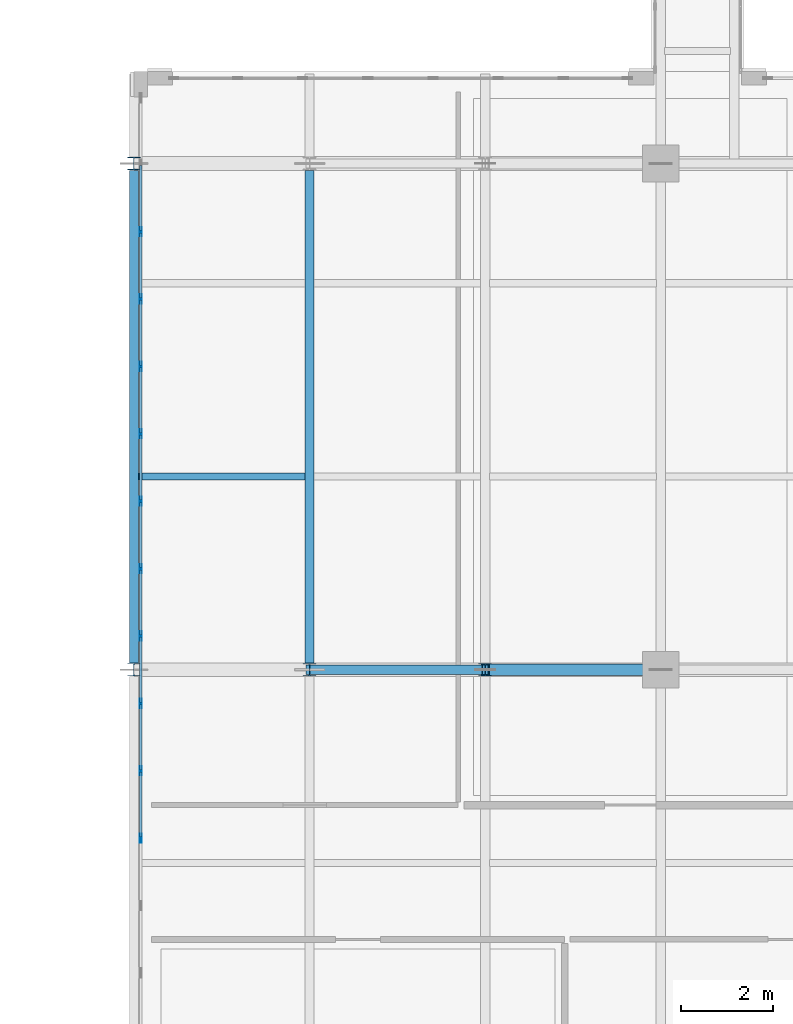
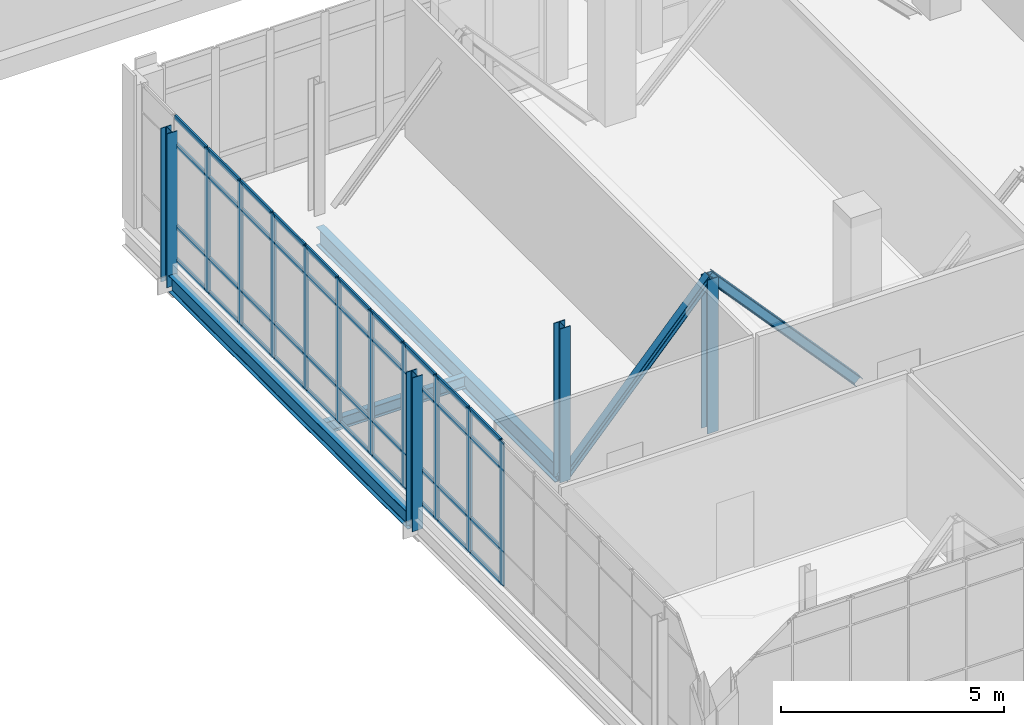
# One storey, part 6 of 165: 56 members, 3 beams, 1 element without a shape of its own.
"""IFC4 building model written with IfcOpenShell, lengths in metres."""

from ifc_helpers import new_model, si_unit, direction, frame, origin, origin_2d, place, context, subcontext, project, spatial, hollow_rectangle, i_section, extrude, material, layer, layer_set, material_profile, profile_set, type_object, element, aggregate, save


model = new_model("IFC4")

# Units and contexts
model_context = context("Model", 3, precision=1e-05, world=origin(), true_north=direction((0.0, 1.0)))
body_context = subcontext(model_context, "Body", "Model", "MODEL_VIEW")
ifc_project = project(units=[si_unit("LENGTHUNIT", "METRE"), si_unit("AREAUNIT", "SQUARE_METRE"), si_unit("VOLUMEUNIT", "CUBIC_METRE"), si_unit("PLANEANGLEUNIT", "RADIAN"), si_unit("MASSUNIT", "GRAM", prefix="KILO")], contexts=[model_context])

# Site, building, storey
site_placement = place(None, origin())
site = spatial("IfcSite", under=ifc_project, at=site_placement, CompositionType="ELEMENT")
building_placement = place(site_placement, origin())
building = spatial("IfcBuilding", under=site, at=building_placement, Name="Qalavern Law Courts", CompositionType="ELEMENT")
storey_placement = place(building_placement, frame((0.0, 0.0, 14.39990234375)))
storey = spatial("IfcBuildingStorey", under=building, at=storey_placement, Name="L03", CompositionType="ELEMENT", Elevation=14.39990234375)

# Curtain wall, members
ifc_material_1 = material(Name="Anodised aluminium and insulated glazing", Category="aluminium")
ifc_layer = layer(ifc_material_1, 0.199951171875)
ifc_layer_set = layer_set([ifc_layer], Name="Anodised aluminium and insulated glazing")
curtain_wall_type = type_object("IfcCurtainWallType", Name="ENV-CW-FOYER", PredefinedType="USERDEFINED", material=ifc_layer_set)
curtain_wall_placement = place(storey_placement, origin())
curtain_wall = element("IfcCurtainWall", 1, at=curtain_wall_placement, inside=storey, type_object=curtain_wall_type, Name="V1 unitised curtain wall L03 west 1", ObjectType="UNITISED CURTAIN WALL", PredefinedType="USERDEFINED")
ifc_material_2 = material(Name="Anodised aluminium", Category="aluminium")
ifc_material_profile_1 = material_profile(ifc_material_2, hollow_rectangle(XDim=0.048095703125, YDim=0.199951171875, WallThickness=0.00439453125, at=origin_2d()), Name="ALU MULLION 48x200")
ifc_profile_set_1 = profile_set([ifc_material_profile_1], Name="Anodised aluminium")
member_type_1 = type_object("IfcMemberType", Name="ENV-CWM-48x200", PredefinedType="MULLION", material=ifc_profile_set_1)
member_1_placement = place(storey_placement, frame((5.49755859375, 30.5205078125, 0.0), z_axis=(0.0, 0.0, 1.0), x_axis=(1.0, 0.0, 0.0)))
member_1 = element("IfcMember", 2, at=member_1_placement, type_object=member_type_1, Name="CW-01 mullion 3", PredefinedType="MULLION", context=body_context, shape_type="SweptSolid", body=[
    extrude(hollow_rectangle(XDim=0.048095703125, YDim=0.199951171875, WallThickness=0.00439453125, at=origin_2d()), origin(), (0.0, 0.0, 1.0), 3.920166015625),
])
member_2_placement = place(storey_placement, frame((5.49755859375, 29.055908203125, 0.0), z_axis=(0.0, 0.0, 1.0), x_axis=(1.0, 0.0, 0.0)))
member_2 = element("IfcMember", 3, at=member_2_placement, type_object=member_type_1, Name="CW-01 mullion 4", PredefinedType="MULLION", context=body_context, shape_type="SweptSolid", body=[
    extrude(hollow_rectangle(XDim=0.048095703125, YDim=0.199951171875, WallThickness=0.00439453125, at=origin_2d()), origin(), (0.0, 0.0, 1.0), 3.920166015625),
])
member_3_placement = place(storey_placement, frame((5.49755859375, 27.591064453125, 0.0), z_axis=(0.0, 0.0, 1.0), x_axis=(1.0, 0.0, 0.0)))
member_3 = element("IfcMember", 4, at=member_3_placement, type_object=member_type_1, Name="CW-01 mullion 5", PredefinedType="MULLION", context=body_context, shape_type="SweptSolid", body=[
    extrude(hollow_rectangle(XDim=0.048095703125, YDim=0.199951171875, WallThickness=0.00439453125, at=origin_2d()), origin(), (0.0, 0.0, 1.0), 3.920166015625),
])
member_4_placement = place(storey_placement, frame((5.49755859375, 26.12646484375, 0.0), z_axis=(0.0, 0.0, 1.0), x_axis=(1.0, 0.0, 0.0)))
member_4 = element("IfcMember", 5, at=member_4_placement, type_object=member_type_1, Name="CW-01 mullion 6", PredefinedType="MULLION", context=body_context, shape_type="SweptSolid", body=[
    extrude(hollow_rectangle(XDim=0.048095703125, YDim=0.199951171875, WallThickness=0.00439453125, at=origin_2d()), origin(), (0.0, 0.0, 1.0), 3.920166015625),
])
member_5_placement = place(storey_placement, frame((5.49755859375, 24.661865234375, 0.0), z_axis=(0.0, 0.0, 1.0), x_axis=(1.0, 0.0, 0.0)))
member_5 = element("IfcMember", 6, at=member_5_placement, type_object=member_type_1, Name="CW-01 mullion 7", PredefinedType="MULLION", context=body_context, shape_type="SweptSolid", body=[
    extrude(hollow_rectangle(XDim=0.048095703125, YDim=0.199951171875, WallThickness=0.00439453125, at=origin_2d()), origin(), (0.0, 0.0, 1.0), 3.920166015625),
])
member_6_placement = place(storey_placement, frame((5.49755859375, 23.197021484375, 0.0), z_axis=(0.0, 0.0, 1.0), x_axis=(1.0, 0.0, 0.0)))
member_6 = element("IfcMember", 7, at=member_6_placement, type_object=member_type_1, Name="CW-01 mullion 8", PredefinedType="MULLION", context=body_context, shape_type="SweptSolid", body=[
    extrude(hollow_rectangle(XDim=0.048095703125, YDim=0.199951171875, WallThickness=0.00439453125, at=origin_2d()), origin(), (0.0, 0.0, 1.0), 3.920166015625),
])
member_7_placement = place(storey_placement, frame((5.49755859375, 21.732421875, 0.0), z_axis=(0.0, 0.0, 1.0), x_axis=(1.0, 0.0, 0.0)))
member_7 = element("IfcMember", 8, at=member_7_placement, type_object=member_type_1, Name="CW-01 mullion 9", PredefinedType="MULLION", context=body_context, shape_type="SweptSolid", body=[
    extrude(hollow_rectangle(XDim=0.048095703125, YDim=0.199951171875, WallThickness=0.00439453125, at=origin_2d()), origin(), (0.0, 0.0, 1.0), 3.920166015625),
])
member_8_placement = place(storey_placement, frame((5.49755859375, 20.267578125, 0.0), z_axis=(0.0, 0.0, 1.0), x_axis=(1.0, 0.0, 0.0)))
member_8 = element("IfcMember", 9, at=member_8_placement, type_object=member_type_1, Name="CW-01 mullion 10", PredefinedType="MULLION", context=body_context, shape_type="SweptSolid", body=[
    extrude(hollow_rectangle(XDim=0.048095703125, YDim=0.199951171875, WallThickness=0.00439453125, at=origin_2d()), origin(), (0.0, 0.0, 1.0), 3.920166015625),
])
member_9_placement = place(storey_placement, frame((5.49755859375, 18.802978515625, 0.0), z_axis=(0.0, 0.0, 1.0), x_axis=(1.0, 0.0, 0.0)))
member_9 = element("IfcMember", 10, at=member_9_placement, type_object=member_type_1, Name="CW-01 mullion 11", PredefinedType="MULLION", context=body_context, shape_type="SweptSolid", body=[
    extrude(hollow_rectangle(XDim=0.048095703125, YDim=0.199951171875, WallThickness=0.00439453125, at=origin_2d()), origin(), (0.0, 0.0, 1.0), 3.920166015625),
])
member_10_placement = place(storey_placement, frame((5.49755859375, 17.338134765625, 0.0), z_axis=(0.0, 0.0, 1.0), x_axis=(1.0, 0.0, 0.0)))
member_10 = element("IfcMember", 11, at=member_10_placement, type_object=member_type_1, Name="CW-01 mullion 12", PredefinedType="MULLION", context=body_context, shape_type="SweptSolid", body=[
    extrude(hollow_rectangle(XDim=0.048095703125, YDim=0.199951171875, WallThickness=0.00439453125, at=origin_2d()), origin(), (0.0, 0.0, 1.0), 3.920166015625),
])
ifc_material_profile_2 = material_profile(ifc_material_2, hollow_rectangle(XDim=0.048095703125, YDim=0.139892578125, WallThickness=0.00390625, at=origin_2d()), Name="ALU TRANSOM 48x140")
ifc_profile_set_2 = profile_set([ifc_material_profile_2], Name="Anodised aluminium")
member_type_2 = type_object("IfcMemberType", Name="ENV-CWT-48x140", PredefinedType="USERDEFINED", material=ifc_profile_set_2)
member_11_placement = place(storey_placement, frame((5.49755859375, 31.961181640625, 0.024169921875), z_axis=(0.0, -1.0, 0.0), x_axis=(1.0, 0.0, 0.0)))
member_11 = element("IfcMember", 12, at=member_11_placement, type_object=member_type_2, Name="CW-01 transom 2.1", ObjectType="TRANSOM", PredefinedType="USERDEFINED", context=body_context, shape_type="SweptSolid", body=[
    extrude(hollow_rectangle(XDim=0.048095703125, YDim=0.139892578125, WallThickness=0.00390625, at=origin_2d()), origin(), (0.0, 0.0, 1.0), 1.41650390625),
])
member_12_placement = place(storey_placement, frame((5.49755859375, 31.961181640625, 0.9501953125), z_axis=(0.0, -1.0, 0.0), x_axis=(1.0, 0.0, 0.0)))
member_12 = element("IfcMember", 13, at=member_12_placement, type_object=member_type_2, Name="CW-01 transom 2.2", ObjectType="TRANSOM", PredefinedType="USERDEFINED", context=body_context, shape_type="SweptSolid", body=[
    extrude(hollow_rectangle(XDim=0.048095703125, YDim=0.139892578125, WallThickness=0.00390625, at=origin_2d()), origin(), (0.0, 0.0, 1.0), 1.41650390625),
])
member_13_placement = place(storey_placement, frame((5.49755859375, 31.961181640625, 3.170166015625), z_axis=(0.0, -1.0, 0.0), x_axis=(1.0, 0.0, 0.0)))
member_13 = element("IfcMember", 14, at=member_13_placement, type_object=member_type_2, Name="CW-01 transom 2.3", ObjectType="TRANSOM", PredefinedType="USERDEFINED", context=body_context, shape_type="SweptSolid", body=[
    extrude(hollow_rectangle(XDim=0.048095703125, YDim=0.139892578125, WallThickness=0.00390625, at=origin_2d()), origin(), (0.0, 0.0, 1.0), 1.41650390625),
])
member_14_placement = place(storey_placement, frame((5.49755859375, 31.961181640625, 3.89599609375), z_axis=(0.0, -1.0, 0.0), x_axis=(1.0, 0.0, 0.0)))
member_14 = element("IfcMember", 15, at=member_14_placement, type_object=member_type_2, Name="CW-01 transom 2.4", ObjectType="TRANSOM", PredefinedType="USERDEFINED", context=body_context, shape_type="SweptSolid", body=[
    extrude(hollow_rectangle(XDim=0.048095703125, YDim=0.139892578125, WallThickness=0.00390625, at=origin_2d()), origin(), (0.0, 0.0, 1.0), 1.41650390625),
])
member_15_placement = place(storey_placement, frame((5.49755859375, 30.49658203125, 0.024169921875), z_axis=(0.0, -1.0, 0.0), x_axis=(1.0, 0.0, 0.0)))
member_15 = element("IfcMember", 16, at=member_15_placement, type_object=member_type_2, Name="CW-01 transom 3.1", ObjectType="TRANSOM", PredefinedType="USERDEFINED", context=body_context, shape_type="SweptSolid", body=[
    extrude(hollow_rectangle(XDim=0.048095703125, YDim=0.139892578125, WallThickness=0.00390625, at=origin_2d()), origin(), (0.0, 0.0, 1.0), 1.416748046875),
])
member_16_placement = place(storey_placement, frame((5.49755859375, 30.49658203125, 0.9501953125), z_axis=(0.0, -1.0, 0.0), x_axis=(1.0, 0.0, 0.0)))
member_16 = element("IfcMember", 17, at=member_16_placement, type_object=member_type_2, Name="CW-01 transom 3.2", ObjectType="TRANSOM", PredefinedType="USERDEFINED", context=body_context, shape_type="SweptSolid", body=[
    extrude(hollow_rectangle(XDim=0.048095703125, YDim=0.139892578125, WallThickness=0.00390625, at=origin_2d()), origin(), (0.0, 0.0, 1.0), 1.416748046875),
])
member_17_placement = place(storey_placement, frame((5.49755859375, 30.49658203125, 3.170166015625), z_axis=(0.0, -1.0, 0.0), x_axis=(1.0, 0.0, 0.0)))
member_17 = element("IfcMember", 18, at=member_17_placement, type_object=member_type_2, Name="CW-01 transom 3.3", ObjectType="TRANSOM", PredefinedType="USERDEFINED", context=body_context, shape_type="SweptSolid", body=[
    extrude(hollow_rectangle(XDim=0.048095703125, YDim=0.139892578125, WallThickness=0.00390625, at=origin_2d()), origin(), (0.0, 0.0, 1.0), 1.416748046875),
])
member_18_placement = place(storey_placement, frame((5.49755859375, 30.49658203125, 3.89599609375), z_axis=(0.0, -1.0, 0.0), x_axis=(1.0, 0.0, 0.0)))
member_18 = element("IfcMember", 19, at=member_18_placement, type_object=member_type_2, Name="CW-01 transom 3.4", ObjectType="TRANSOM", PredefinedType="USERDEFINED", context=body_context, shape_type="SweptSolid", body=[
    extrude(hollow_rectangle(XDim=0.048095703125, YDim=0.139892578125, WallThickness=0.00390625, at=origin_2d()), origin(), (0.0, 0.0, 1.0), 1.416748046875),
])
member_19_placement = place(storey_placement, frame((5.49755859375, 29.031982421875, 0.024169921875), z_axis=(0.0, -1.0, 0.0), x_axis=(1.0, 0.0, 0.0)))
member_19 = element("IfcMember", 20, at=member_19_placement, type_object=member_type_2, Name="CW-01 transom 4.1", ObjectType="TRANSOM", PredefinedType="USERDEFINED", context=body_context, shape_type="SweptSolid", body=[
    extrude(hollow_rectangle(XDim=0.048095703125, YDim=0.139892578125, WallThickness=0.00390625, at=origin_2d()), origin(), (0.0, 0.0, 1.0), 1.416748046875),
])
member_20_placement = place(storey_placement, frame((5.49755859375, 29.031982421875, 0.9501953125), z_axis=(0.0, -1.0, 0.0), x_axis=(1.0, 0.0, 0.0)))
member_20 = element("IfcMember", 21, at=member_20_placement, type_object=member_type_2, Name="CW-01 transom 4.2", ObjectType="TRANSOM", PredefinedType="USERDEFINED", context=body_context, shape_type="SweptSolid", body=[
    extrude(hollow_rectangle(XDim=0.048095703125, YDim=0.139892578125, WallThickness=0.00390625, at=origin_2d()), origin(), (0.0, 0.0, 1.0), 1.416748046875),
])
member_21_placement = place(storey_placement, frame((5.49755859375, 29.031982421875, 3.170166015625), z_axis=(0.0, -1.0, 0.0), x_axis=(1.0, 0.0, 0.0)))
member_21 = element("IfcMember", 22, at=member_21_placement, type_object=member_type_2, Name="CW-01 transom 4.3", ObjectType="TRANSOM", PredefinedType="USERDEFINED", context=body_context, shape_type="SweptSolid", body=[
    extrude(hollow_rectangle(XDim=0.048095703125, YDim=0.139892578125, WallThickness=0.00390625, at=origin_2d()), origin(), (0.0, 0.0, 1.0), 1.416748046875),
])
member_22_placement = place(storey_placement, frame((5.49755859375, 29.031982421875, 3.89599609375), z_axis=(0.0, -1.0, 0.0), x_axis=(1.0, 0.0, 0.0)))
member_22 = element("IfcMember", 23, at=member_22_placement, type_object=member_type_2, Name="CW-01 transom 4.4", ObjectType="TRANSOM", PredefinedType="USERDEFINED", context=body_context, shape_type="SweptSolid", body=[
    extrude(hollow_rectangle(XDim=0.048095703125, YDim=0.139892578125, WallThickness=0.00390625, at=origin_2d()), origin(), (0.0, 0.0, 1.0), 1.416748046875),
])
member_23_placement = place(storey_placement, frame((5.49755859375, 27.567138671875, 0.024169921875), z_axis=(0.0, -1.0, 0.0), x_axis=(1.0, 0.0, 0.0)))
member_23 = element("IfcMember", 24, at=member_23_placement, type_object=member_type_2, Name="CW-01 transom 5.1", ObjectType="TRANSOM", PredefinedType="USERDEFINED", context=body_context, shape_type="SweptSolid", body=[
    extrude(hollow_rectangle(XDim=0.048095703125, YDim=0.139892578125, WallThickness=0.00390625, at=origin_2d()), origin(), (0.0, 0.0, 1.0), 1.416748046875),
])
member_24_placement = place(storey_placement, frame((5.49755859375, 27.567138671875, 0.9501953125), z_axis=(0.0, -1.0, 0.0), x_axis=(1.0, 0.0, 0.0)))
member_24 = element("IfcMember", 25, at=member_24_placement, type_object=member_type_2, Name="CW-01 transom 5.2", ObjectType="TRANSOM", PredefinedType="USERDEFINED", context=body_context, shape_type="SweptSolid", body=[
    extrude(hollow_rectangle(XDim=0.048095703125, YDim=0.139892578125, WallThickness=0.00390625, at=origin_2d()), origin(), (0.0, 0.0, 1.0), 1.416748046875),
])
member_25_placement = place(storey_placement, frame((5.49755859375, 27.567138671875, 3.170166015625), z_axis=(0.0, -1.0, 0.0), x_axis=(1.0, 0.0, 0.0)))
member_25 = element("IfcMember", 26, at=member_25_placement, type_object=member_type_2, Name="CW-01 transom 5.3", ObjectType="TRANSOM", PredefinedType="USERDEFINED", context=body_context, shape_type="SweptSolid", body=[
    extrude(hollow_rectangle(XDim=0.048095703125, YDim=0.139892578125, WallThickness=0.00390625, at=origin_2d()), origin(), (0.0, 0.0, 1.0), 1.416748046875),
])
member_26_placement = place(storey_placement, frame((5.49755859375, 27.567138671875, 3.89599609375), z_axis=(0.0, -1.0, 0.0), x_axis=(1.0, 0.0, 0.0)))
member_26 = element("IfcMember", 27, at=member_26_placement, type_object=member_type_2, Name="CW-01 transom 5.4", ObjectType="TRANSOM", PredefinedType="USERDEFINED", context=body_context, shape_type="SweptSolid", body=[
    extrude(hollow_rectangle(XDim=0.048095703125, YDim=0.139892578125, WallThickness=0.00390625, at=origin_2d()), origin(), (0.0, 0.0, 1.0), 1.416748046875),
])
member_27_placement = place(storey_placement, frame((5.49755859375, 26.1025390625, 0.024169921875), z_axis=(0.0, -1.0, 0.0), x_axis=(1.0, 0.0, 0.0)))
member_27 = element("IfcMember", 28, at=member_27_placement, type_object=member_type_2, Name="CW-01 transom 6.1", ObjectType="TRANSOM", PredefinedType="USERDEFINED", context=body_context, shape_type="SweptSolid", body=[
    extrude(hollow_rectangle(XDim=0.048095703125, YDim=0.139892578125, WallThickness=0.00390625, at=origin_2d()), origin(), (0.0, 0.0, 1.0), 1.416748046875),
])
member_28_placement = place(storey_placement, frame((5.49755859375, 26.1025390625, 0.9501953125), z_axis=(0.0, -1.0, 0.0), x_axis=(1.0, 0.0, 0.0)))
member_28 = element("IfcMember", 29, at=member_28_placement, type_object=member_type_2, Name="CW-01 transom 6.2", ObjectType="TRANSOM", PredefinedType="USERDEFINED", context=body_context, shape_type="SweptSolid", body=[
    extrude(hollow_rectangle(XDim=0.048095703125, YDim=0.139892578125, WallThickness=0.00390625, at=origin_2d()), origin(), (0.0, 0.0, 1.0), 1.416748046875),
])
member_29_placement = place(storey_placement, frame((5.49755859375, 26.1025390625, 3.170166015625), z_axis=(0.0, -1.0, 0.0), x_axis=(1.0, 0.0, 0.0)))
member_29 = element("IfcMember", 30, at=member_29_placement, type_object=member_type_2, Name="CW-01 transom 6.3", ObjectType="TRANSOM", PredefinedType="USERDEFINED", context=body_context, shape_type="SweptSolid", body=[
    extrude(hollow_rectangle(XDim=0.048095703125, YDim=0.139892578125, WallThickness=0.00390625, at=origin_2d()), origin(), (0.0, 0.0, 1.0), 1.416748046875),
])
member_30_placement = place(storey_placement, frame((5.49755859375, 26.1025390625, 3.89599609375), z_axis=(0.0, -1.0, 0.0), x_axis=(1.0, 0.0, 0.0)))
member_30 = element("IfcMember", 31, at=member_30_placement, type_object=member_type_2, Name="CW-01 transom 6.4", ObjectType="TRANSOM", PredefinedType="USERDEFINED", context=body_context, shape_type="SweptSolid", body=[
    extrude(hollow_rectangle(XDim=0.048095703125, YDim=0.139892578125, WallThickness=0.00390625, at=origin_2d()), origin(), (0.0, 0.0, 1.0), 1.416748046875),
])
member_31_placement = place(storey_placement, frame((5.49755859375, 24.6376953125, 0.024169921875), z_axis=(0.0, -1.0, 0.0), x_axis=(1.0, 0.0, 0.0)))
member_31 = element("IfcMember", 32, at=member_31_placement, type_object=member_type_2, Name="CW-01 transom 7.1", ObjectType="TRANSOM", PredefinedType="USERDEFINED", context=body_context, shape_type="SweptSolid", body=[
    extrude(hollow_rectangle(XDim=0.048095703125, YDim=0.139892578125, WallThickness=0.00390625, at=origin_2d()), origin(), (0.0, 0.0, 1.0), 1.416748046875),
])
member_32_placement = place(storey_placement, frame((5.49755859375, 24.6376953125, 0.9501953125), z_axis=(0.0, -1.0, 0.0), x_axis=(1.0, 0.0, 0.0)))
member_32 = element("IfcMember", 33, at=member_32_placement, type_object=member_type_2, Name="CW-01 transom 7.2", ObjectType="TRANSOM", PredefinedType="USERDEFINED", context=body_context, shape_type="SweptSolid", body=[
    extrude(hollow_rectangle(XDim=0.048095703125, YDim=0.139892578125, WallThickness=0.00390625, at=origin_2d()), origin(), (0.0, 0.0, 1.0), 1.416748046875),
])
member_33_placement = place(storey_placement, frame((5.49755859375, 24.6376953125, 3.170166015625), z_axis=(0.0, -1.0, 0.0), x_axis=(1.0, 0.0, 0.0)))
member_33 = element("IfcMember", 34, at=member_33_placement, type_object=member_type_2, Name="CW-01 transom 7.3", ObjectType="TRANSOM", PredefinedType="USERDEFINED", context=body_context, shape_type="SweptSolid", body=[
    extrude(hollow_rectangle(XDim=0.048095703125, YDim=0.139892578125, WallThickness=0.00390625, at=origin_2d()), origin(), (0.0, 0.0, 1.0), 1.416748046875),
])
member_34_placement = place(storey_placement, frame((5.49755859375, 24.6376953125, 3.89599609375), z_axis=(0.0, -1.0, 0.0), x_axis=(1.0, 0.0, 0.0)))
member_34 = element("IfcMember", 35, at=member_34_placement, type_object=member_type_2, Name="CW-01 transom 7.4", ObjectType="TRANSOM", PredefinedType="USERDEFINED", context=body_context, shape_type="SweptSolid", body=[
    extrude(hollow_rectangle(XDim=0.048095703125, YDim=0.139892578125, WallThickness=0.00390625, at=origin_2d()), origin(), (0.0, 0.0, 1.0), 1.416748046875),
])
member_35_placement = place(storey_placement, frame((5.49755859375, 23.173095703125, 0.024169921875), z_axis=(0.0, -1.0, 0.0), x_axis=(1.0, 0.0, 0.0)))
member_35 = element("IfcMember", 36, at=member_35_placement, type_object=member_type_2, Name="CW-01 transom 8.1", ObjectType="TRANSOM", PredefinedType="USERDEFINED", context=body_context, shape_type="SweptSolid", body=[
    extrude(hollow_rectangle(XDim=0.048095703125, YDim=0.139892578125, WallThickness=0.00390625, at=origin_2d()), origin(), (0.0, 0.0, 1.0), 1.416748046875),
])
member_36_placement = place(storey_placement, frame((5.49755859375, 23.173095703125, 0.9501953125), z_axis=(0.0, -1.0, 0.0), x_axis=(1.0, 0.0, 0.0)))
member_36 = element("IfcMember", 37, at=member_36_placement, type_object=member_type_2, Name="CW-01 transom 8.2", ObjectType="TRANSOM", PredefinedType="USERDEFINED", context=body_context, shape_type="SweptSolid", body=[
    extrude(hollow_rectangle(XDim=0.048095703125, YDim=0.139892578125, WallThickness=0.00390625, at=origin_2d()), origin(), (0.0, 0.0, 1.0), 1.416748046875),
])
member_37_placement = place(storey_placement, frame((5.49755859375, 23.173095703125, 3.170166015625), z_axis=(0.0, -1.0, 0.0), x_axis=(1.0, 0.0, 0.0)))
member_37 = element("IfcMember", 38, at=member_37_placement, type_object=member_type_2, Name="CW-01 transom 8.3", ObjectType="TRANSOM", PredefinedType="USERDEFINED", context=body_context, shape_type="SweptSolid", body=[
    extrude(hollow_rectangle(XDim=0.048095703125, YDim=0.139892578125, WallThickness=0.00390625, at=origin_2d()), origin(), (0.0, 0.0, 1.0), 1.416748046875),
])
member_38_placement = place(storey_placement, frame((5.49755859375, 23.173095703125, 3.89599609375), z_axis=(0.0, -1.0, 0.0), x_axis=(1.0, 0.0, 0.0)))
member_38 = element("IfcMember", 39, at=member_38_placement, type_object=member_type_2, Name="CW-01 transom 8.4", ObjectType="TRANSOM", PredefinedType="USERDEFINED", context=body_context, shape_type="SweptSolid", body=[
    extrude(hollow_rectangle(XDim=0.048095703125, YDim=0.139892578125, WallThickness=0.00390625, at=origin_2d()), origin(), (0.0, 0.0, 1.0), 1.416748046875),
])
member_39_placement = place(storey_placement, frame((5.49755859375, 21.708251953125, 0.024169921875), z_axis=(0.0, -1.0, 0.0), x_axis=(1.0, 0.0, 0.0)))
member_39 = element("IfcMember", 40, at=member_39_placement, type_object=member_type_2, Name="CW-01 transom 9.1", ObjectType="TRANSOM", PredefinedType="USERDEFINED", context=body_context, shape_type="SweptSolid", body=[
    extrude(hollow_rectangle(XDim=0.048095703125, YDim=0.139892578125, WallThickness=0.00390625, at=origin_2d()), origin(), (0.0, 0.0, 1.0), 1.41650390625),
])
member_40_placement = place(storey_placement, frame((5.49755859375, 21.708251953125, 0.9501953125), z_axis=(0.0, -1.0, 0.0), x_axis=(1.0, 0.0, 0.0)))
member_40 = element("IfcMember", 41, at=member_40_placement, type_object=member_type_2, Name="CW-01 transom 9.2", ObjectType="TRANSOM", PredefinedType="USERDEFINED", context=body_context, shape_type="SweptSolid", body=[
    extrude(hollow_rectangle(XDim=0.048095703125, YDim=0.139892578125, WallThickness=0.00390625, at=origin_2d()), origin(), (0.0, 0.0, 1.0), 1.41650390625),
])
member_41_placement = place(storey_placement, frame((5.49755859375, 21.708251953125, 3.170166015625), z_axis=(0.0, -1.0, 0.0), x_axis=(1.0, 0.0, 0.0)))
member_41 = element("IfcMember", 42, at=member_41_placement, type_object=member_type_2, Name="CW-01 transom 9.3", ObjectType="TRANSOM", PredefinedType="USERDEFINED", context=body_context, shape_type="SweptSolid", body=[
    extrude(hollow_rectangle(XDim=0.048095703125, YDim=0.139892578125, WallThickness=0.00390625, at=origin_2d()), origin(), (0.0, 0.0, 1.0), 1.41650390625),
])
member_42_placement = place(storey_placement, frame((5.49755859375, 21.708251953125, 3.89599609375), z_axis=(0.0, -1.0, 0.0), x_axis=(1.0, 0.0, 0.0)))
member_42 = element("IfcMember", 43, at=member_42_placement, type_object=member_type_2, Name="CW-01 transom 9.4", ObjectType="TRANSOM", PredefinedType="USERDEFINED", context=body_context, shape_type="SweptSolid", body=[
    extrude(hollow_rectangle(XDim=0.048095703125, YDim=0.139892578125, WallThickness=0.00390625, at=origin_2d()), origin(), (0.0, 0.0, 1.0), 1.41650390625),
])
member_43_placement = place(storey_placement, frame((5.49755859375, 20.24365234375, 0.024169921875), z_axis=(0.0, -1.0, 0.0), x_axis=(1.0, 0.0, 0.0)))
member_43 = element("IfcMember", 44, at=member_43_placement, type_object=member_type_2, Name="CW-01 transom 10.1", ObjectType="TRANSOM", PredefinedType="USERDEFINED", context=body_context, shape_type="SweptSolid", body=[
    extrude(hollow_rectangle(XDim=0.048095703125, YDim=0.139892578125, WallThickness=0.00390625, at=origin_2d()), origin(), (0.0, 0.0, 1.0), 1.416748046875),
])
member_44_placement = place(storey_placement, frame((5.49755859375, 20.24365234375, 0.9501953125), z_axis=(0.0, -1.0, 0.0), x_axis=(1.0, 0.0, 0.0)))
member_44 = element("IfcMember", 45, at=member_44_placement, type_object=member_type_2, Name="CW-01 transom 10.2", ObjectType="TRANSOM", PredefinedType="USERDEFINED", context=body_context, shape_type="SweptSolid", body=[
    extrude(hollow_rectangle(XDim=0.048095703125, YDim=0.139892578125, WallThickness=0.00390625, at=origin_2d()), origin(), (0.0, 0.0, 1.0), 1.416748046875),
])
member_45_placement = place(storey_placement, frame((5.49755859375, 20.24365234375, 3.170166015625), z_axis=(0.0, -1.0, 0.0), x_axis=(1.0, 0.0, 0.0)))
member_45 = element("IfcMember", 46, at=member_45_placement, type_object=member_type_2, Name="CW-01 transom 10.3", ObjectType="TRANSOM", PredefinedType="USERDEFINED", context=body_context, shape_type="SweptSolid", body=[
    extrude(hollow_rectangle(XDim=0.048095703125, YDim=0.139892578125, WallThickness=0.00390625, at=origin_2d()), origin(), (0.0, 0.0, 1.0), 1.416748046875),
])
member_46_placement = place(storey_placement, frame((5.49755859375, 20.24365234375, 3.89599609375), z_axis=(0.0, -1.0, 0.0), x_axis=(1.0, 0.0, 0.0)))
member_46 = element("IfcMember", 47, at=member_46_placement, type_object=member_type_2, Name="CW-01 transom 10.4", ObjectType="TRANSOM", PredefinedType="USERDEFINED", context=body_context, shape_type="SweptSolid", body=[
    extrude(hollow_rectangle(XDim=0.048095703125, YDim=0.139892578125, WallThickness=0.00390625, at=origin_2d()), origin(), (0.0, 0.0, 1.0), 1.416748046875),
])
member_47_placement = place(storey_placement, frame((5.49755859375, 18.779052734375, 0.024169921875), z_axis=(0.0, -1.0, 0.0), x_axis=(1.0, 0.0, 0.0)))
member_47 = element("IfcMember", 48, at=member_47_placement, type_object=member_type_2, Name="CW-01 transom 11.1", ObjectType="TRANSOM", PredefinedType="USERDEFINED", context=body_context, shape_type="SweptSolid", body=[
    extrude(hollow_rectangle(XDim=0.048095703125, YDim=0.139892578125, WallThickness=0.00390625, at=origin_2d()), origin(), (0.0, 0.0, 1.0), 1.416748046875),
])
member_48_placement = place(storey_placement, frame((5.49755859375, 18.779052734375, 0.9501953125), z_axis=(0.0, -1.0, 0.0), x_axis=(1.0, 0.0, 0.0)))
member_48 = element("IfcMember", 49, at=member_48_placement, type_object=member_type_2, Name="CW-01 transom 11.2", ObjectType="TRANSOM", PredefinedType="USERDEFINED", context=body_context, shape_type="SweptSolid", body=[
    extrude(hollow_rectangle(XDim=0.048095703125, YDim=0.139892578125, WallThickness=0.00390625, at=origin_2d()), origin(), (0.0, 0.0, 1.0), 1.416748046875),
])
member_49_placement = place(storey_placement, frame((5.49755859375, 18.779052734375, 3.170166015625), z_axis=(0.0, -1.0, 0.0), x_axis=(1.0, 0.0, 0.0)))
member_49 = element("IfcMember", 50, at=member_49_placement, type_object=member_type_2, Name="CW-01 transom 11.3", ObjectType="TRANSOM", PredefinedType="USERDEFINED", context=body_context, shape_type="SweptSolid", body=[
    extrude(hollow_rectangle(XDim=0.048095703125, YDim=0.139892578125, WallThickness=0.00390625, at=origin_2d()), origin(), (0.0, 0.0, 1.0), 1.416748046875),
])
member_50_placement = place(storey_placement, frame((5.49755859375, 18.779052734375, 3.89599609375), z_axis=(0.0, -1.0, 0.0), x_axis=(1.0, 0.0, 0.0)))
member_50 = element("IfcMember", 51, at=member_50_placement, type_object=member_type_2, Name="CW-01 transom 11.4", ObjectType="TRANSOM", PredefinedType="USERDEFINED", context=body_context, shape_type="SweptSolid", body=[
    extrude(hollow_rectangle(XDim=0.048095703125, YDim=0.139892578125, WallThickness=0.00390625, at=origin_2d()), origin(), (0.0, 0.0, 1.0), 1.416748046875),
])
aggregate(curtain_wall, [member_1, member_2, member_3, member_4, member_5, member_6, member_7, member_8, member_9, member_10, member_11, member_12, member_13, member_14, member_15, member_16, member_17, member_18, member_19, member_20, member_21, member_22, member_23, member_24, member_25, member_26, member_27, member_28, member_29, member_30, member_31, member_32, member_33, member_34, member_35, member_36, member_37, member_38, member_39, member_40, member_41, member_42, member_43, member_44, member_45, member_46, member_47, member_48, member_49, member_50])

# Beam
ifc_material_3 = material(Name="Steel S355", Category="steel")
ifc_material_profile_3 = material_profile(ifc_material_3, i_section(OverallWidth=0.199951171875, OverallDepth=0.5, WebThickness=0.01025390625, FlangeThickness=0.01611328125, FilletRadius=0.02099609375, at=origin_2d()), Name="IPE 500")
ifc_profile_set_3 = profile_set([ifc_material_profile_3], Name="Steel S355")
beam_type_1 = type_object("IfcBeamType", Name="STR-BM-IPE500", PredefinedType="BEAM", material=ifc_profile_set_3)
beam_1_placement = place(storey_placement, frame((9.166748046875, 21.14794921875, -0.534912109375), z_axis=(0.0, 1.0, 0.0), x_axis=(-1.0, 0.0, 0.0)))
element("IfcBeam", 52, at=beam_1_placement, inside=storey, type_object=beam_type_1, Name="Foyer transverse beam L03-7.3", PredefinedType="BEAM", context=body_context, shape_type="SweptSolid", body=[
    extrude(i_section(OverallWidth=0.199951171875, OverallDepth=0.5, WebThickness=0.01025390625, FlangeThickness=0.01611328125, FilletRadius=0.02099609375, at=origin_2d()), origin(), (0.0, 0.0, 1.0), 10.7041015625),
])

# Members
ifc_material_profile_4 = material_profile(ifc_material_3, i_section(OverallWidth=0.199951171875, OverallDepth=0.199951171875, WebThickness=0.009033203125, FlangeThickness=0.014892578125, FilletRadius=0.01806640625, at=origin_2d()), Name="HEB 200")
ifc_profile_set_4 = profile_set([ifc_material_profile_4], Name="Steel S355")
member_type_3 = type_object("IfcMemberType", Name="STR-BR-HEB200", PredefinedType="BRACE", material=ifc_profile_set_4)
member_51_placement = place(storey_placement, frame((12.9833984375, 21.0, 3.59521484375), z_axis=(-0.672079845695, 0.0, -0.740478683698), x_axis=(0.0, -1.0, 0.0)))
element("IfcMember", 53, at=member_51_placement, inside=storey, type_object=member_type_3, Name="Cantilever truss T2 diagonal L03-6", PredefinedType="BRACE", context=body_context, shape_type="SweptSolid", body=[
    extrude(i_section(OverallWidth=0.199951171875, OverallDepth=0.199951171875, WebThickness=0.009033203125, FlangeThickness=0.014892578125, FilletRadius=0.01806640625, at=origin_2d()), origin(), (0.0, 0.0, 1.0), 5.678955078125),
])
ifc_material_profile_5 = material_profile(ifc_material_3, i_section(OverallWidth=0.239990234375, OverallDepth=0.239990234375, WebThickness=0.010009765625, FlangeThickness=0.01708984375, FilletRadius=0.02099609375, at=origin_2d()), Name="HEB 240")
ifc_profile_set_5 = profile_set([ifc_material_profile_5], Name="Steel S355")
member_type_4 = type_object("IfcMemberType", Name="STR-BR-HEB240", PredefinedType="BRACE", material=ifc_profile_set_5)
member_52_placement = place(storey_placement, frame((16.800048828125, 21.0, -0.60986328125), z_axis=(-0.672079845695, 0.0, 0.740478683698), x_axis=(0.0, -1.0, 0.0)))
element("IfcMember", 54, at=member_52_placement, inside=storey, type_object=member_type_4, Name="Cantilever truss T2 diagonal L03-5", PredefinedType="BRACE", context=body_context, shape_type="SweptSolid", body=[
    extrude(i_section(OverallWidth=0.239990234375, OverallDepth=0.239990234375, WebThickness=0.010009765625, FlangeThickness=0.01708984375, FilletRadius=0.02099609375, at=origin_2d()), origin(), (0.0, 0.0, 1.0), 5.678955078125),
])

# Beam
ifc_material_profile_6 = material_profile(ifc_material_3, i_section(OverallWidth=0.159912109375, OverallDepth=0.330078125, WebThickness=0.007568359375, FlangeThickness=0.011474609375, FilletRadius=0.01806640625, at=origin_2d()), Name="IPE 330")
ifc_profile_set_6 = profile_set([ifc_material_profile_6], Name="Steel S355")
beam_type_2 = type_object("IfcBeamType", Name="STR-JST-IPE330", PredefinedType="JOIST", material=ifc_profile_set_6)
beam_2_placement = place(storey_placement, frame((5.447998046875, 25.199951171875, -0.449951171875), z_axis=(1.0, 0.0, 0.0), x_axis=(0.0, 1.0, 0.0)))
element("IfcBeam", 55, at=beam_2_placement, inside=storey, type_object=beam_type_2, Name="Foyer floor joist L03-7.3", PredefinedType="JOIST", context=body_context, shape_type="SweptSolid", body=[
    extrude(i_section(OverallWidth=0.159912109375, OverallDepth=0.330078125, WebThickness=0.007568359375, FlangeThickness=0.011474609375, FilletRadius=0.01806640625, at=origin_2d()), origin(), (0.0, 0.0, 1.0), 3.62060546875),
])

# Members
ifc_material_profile_7 = material_profile(ifc_material_3, i_section(OverallWidth=0.280029296875, OverallDepth=0.280029296875, WebThickness=0.010498046875, FlangeThickness=0.01806640625, FilletRadius=0.02392578125, at=origin_2d()), Name="HEB 280")
ifc_profile_set_7 = profile_set([ifc_material_profile_7], Name="Steel S355")
member_type_5 = type_object("IfcMemberType", Name="STR-POST-HEB280", PredefinedType="POST", material=ifc_profile_set_7)
for number, where, z_axis, x_axis, name in (
    (56, (12.9833984375, 21.0, -0.60986328125), (0.0, 0.0, 1.0), (1.0, 0.0, 0.0), "Cantilever truss T2 post L03-1"),
    (57, (9.166748046875, 21.0, -0.60986328125), (0.0, 0.0, 1.0), (1.0, 0.0, 0.0), "Cantilever truss T2 post L03-2"),
    (58, (5.35009765625, 21.0, -0.60986328125), (0.0, 0.0, 1.0), (1.0, 0.0, 0.0), "Cantilever truss T2 post L03-3"),
    (59, (5.35009765625, 32.0, -0.60986328125), (0.0, 0.0, 1.0), (1.0, 0.0, 0.0), "Cantilever truss T3 post L03-3"),
):
    element("IfcMember", number, at=place(storey_placement, frame(where, z_axis=z_axis, x_axis=x_axis)), inside=storey, type_object=member_type_5, Name=name, PredefinedType="POST", context=body_context, shape_type="SweptSolid", body=[
        extrude(i_section(OverallWidth=0.280029296875, OverallDepth=0.280029296875, WebThickness=0.010498046875, FlangeThickness=0.01806640625, FilletRadius=0.02392578125, at=origin_2d()), origin(), (0.0, 0.0, 1.0), 4.205078125),
    ])

# Beam
ifc_material_profile_8 = material_profile(ifc_material_3, i_section(OverallWidth=0.18994140625, OverallDepth=0.449951171875, WebThickness=0.009521484375, FlangeThickness=0.0146484375, FilletRadius=0.02099609375, at=origin_2d()), Name="IPE 450")
ifc_profile_set_8 = profile_set([ifc_material_profile_8], Name="Steel S355")
beam_type_3 = type_object("IfcBeamType", Name="STR-SP-IPE450", PredefinedType="SPANDREL", material=ifc_profile_set_8)
beam_3_placement = place(storey_placement, frame((5.35009765625, 21.14794921875, -0.510009765625), z_axis=(0.0, 1.0, 0.0), x_axis=(-1.0, 0.0, 0.0)))
element("IfcBeam", 60, at=beam_3_placement, inside=storey, type_object=beam_type_3, Name="Foyer transverse beam L03-8.3", PredefinedType="SPANDREL", context=body_context, shape_type="SweptSolid", body=[
    extrude(i_section(OverallWidth=0.18994140625, OverallDepth=0.449951171875, WebThickness=0.009521484375, FlangeThickness=0.0146484375, FilletRadius=0.02099609375, at=origin_2d()), origin(), (0.0, 0.0, 1.0), 10.7041015625),
])

save(model, "model.ifc")
